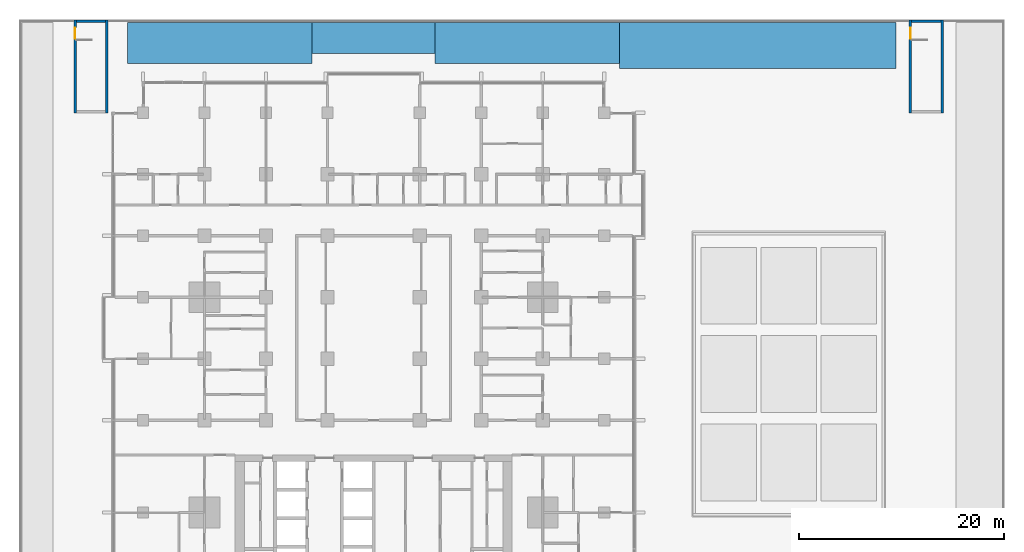
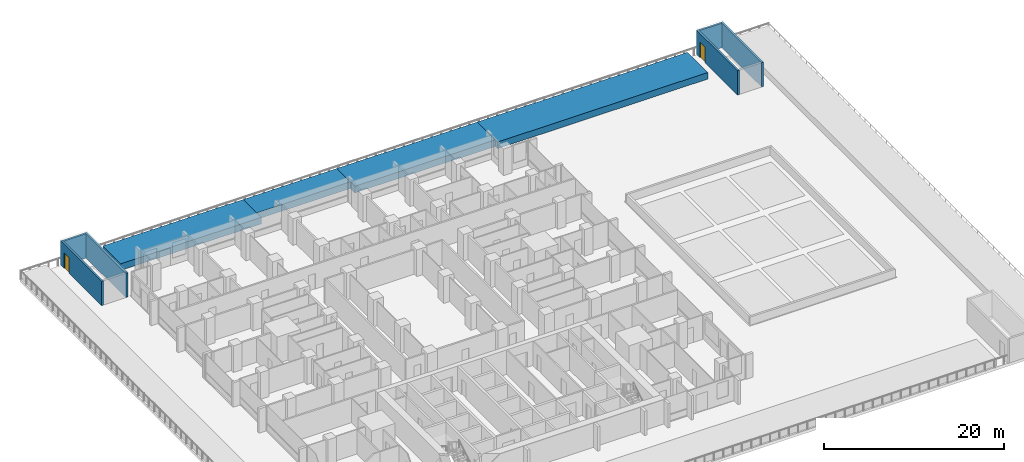
# One storey, part 17 of 25: 10 walls, 2 doors, 2 openings.
"""IFC4 building model written with IfcOpenShell, lengths in metres."""

from ifc_helpers import new_model, si_unit, direction, frame, frame_2d, origin, place, context, subcontext, project, spatial, rectangle, extrude, material, layer, layer_set, type_object, element, fill, save


model = new_model("IFC4")

# Units and contexts
model_context = context("Model", 3, precision=1e-05, world=origin(), true_north=direction((0.0, 1.0)))
body_context = subcontext(model_context, "Body", "Model", "MODEL_VIEW")
ifc_project = project(units=[si_unit("LENGTHUNIT", "METRE"), si_unit("AREAUNIT", "SQUARE_METRE"), si_unit("VOLUMEUNIT", "CUBIC_METRE"), si_unit("PLANEANGLEUNIT", "RADIAN"), si_unit("MASSUNIT", "GRAM", prefix="KILO")], contexts=[model_context])

# Site, building, storey
site_placement = place(None, origin())
site = spatial("IfcSite", under=ifc_project, at=site_placement, CompositionType="ELEMENT")
building_placement = place(site_placement, origin())
building = spatial("IfcBuilding", under=site, at=building_placement, Name="Finial Court Residences", CompositionType="ELEMENT")
storey_placement = place(building_placement, frame((0.0, 0.0, 32.5)))
storey = spatial("IfcBuildingStorey", under=building, at=storey_placement, Name="L06", CompositionType="ELEMENT", Elevation=32.5)

# Walls
ifc_material_1 = material(Name="Concrete C40/50", Category="concrete")
ifc_layer_1 = layer(ifc_material_1, 0.199951171875)
ifc_material_2 = material(Name="Planting soil", Category="soil")
ifc_layer_2 = layer(ifc_material_2, 2.60009765625)
ifc_layer_3 = layer(ifc_material_1, 0.199951171875)
ifc_layer_set_1 = layer_set([ifc_layer_1, ifc_layer_2, ifc_layer_3], Name="Planter wall, terrace 3000")
wall_type_1 = type_object("IfcWallType", Name="Planter wall, terrace 3000", PredefinedType="USERDEFINED", material=ifc_layer_set_1)
wall_1_placement = place(storey_placement, frame((-6.0, 32.800048828125, 0.0), z_axis=(0.0, 0.0, 1.0), x_axis=(1.0, 0.0, 0.0)))
element("IfcWall", 1, at=wall_1_placement, inside=storey, type_object=wall_type_1, Name="E-L06-TER1-PL7", ObjectType="PLANTER", PredefinedType="USERDEFINED", context=body_context, shape_type="SweptSolid", body=[
    extrude(rectangle(XDim=12.0, YDim=3.0, at=frame_2d((6.0, 0.0))), origin(), (0.0, 0.0, 1.0), 0.89990234375),
])
ifc_layer_4 = layer(ifc_material_1, 0.199951171875)
ifc_layer_5 = layer(ifc_material_2, 3.60009765625)
ifc_layer_6 = layer(ifc_material_1, 0.199951171875)
ifc_layer_set_2 = layer_set([ifc_layer_4, ifc_layer_5, ifc_layer_6], Name="Planter wall, terrace 4000")
wall_type_2 = type_object("IfcWallType", Name="Planter wall, terrace 4000", PredefinedType="USERDEFINED", material=ifc_layer_set_2)
for number, where, z_axis, x_axis, name in (
    (2, (-24.0, 32.300048828125, 0.0), (0.0, 0.0, 1.0), (1.0, 0.0, 0.0), "E-L06-TER1-PL5"),
    (3, (6.0, 32.300048828125, 0.0), (0.0, 0.0, 1.0), (1.0, 0.0, 0.0), "E-L06-TER1-PL6"),
):
    element("IfcWall", number, at=place(storey_placement, frame(where, z_axis=z_axis, x_axis=x_axis)), inside=storey, type_object=wall_type_2, Name=name, ObjectType="PLANTER", PredefinedType="USERDEFINED", context=body_context, shape_type="SweptSolid", body=[
        extrude(rectangle(XDim=18.0, YDim=4.0, at=frame_2d((9.0, 0.0))), origin(), (0.0, 0.0, 1.0), 0.89990234375),
    ])
ifc_layer_7 = layer(ifc_material_1, 0.199951171875)
ifc_layer_8 = layer(ifc_material_2, 4.10009765625)
ifc_layer_9 = layer(ifc_material_1, 0.199951171875)
ifc_layer_set_3 = layer_set([ifc_layer_7, ifc_layer_8, ifc_layer_9], Name="Planter wall, terrace 4500")
wall_type_3 = type_object("IfcWallType", Name="Planter wall, terrace 4500", PredefinedType="USERDEFINED", material=ifc_layer_set_3)
wall_2_placement = place(storey_placement, frame((24.0, 32.050048828125, 0.0), z_axis=(0.0, 0.0, 1.0), x_axis=(1.0, 0.0, 0.0)))
element("IfcWall", 4, at=wall_2_placement, inside=storey, type_object=wall_type_3, Name="E-L06-TER1-PL4", ObjectType="PLANTER", PredefinedType="USERDEFINED", context=body_context, shape_type="SweptSolid", body=[
    extrude(rectangle(XDim=26.949951171875, YDim=4.5, at=frame_2d((13.47509765625, 0.0))), origin(), (0.0, 0.0, 1.0), 0.89990234375),
])

# Wall, opening, door
ifc_material_3 = material(Name="Concrete C50/60", Category="concrete")
ifc_layer_10 = layer(ifc_material_3, 0.25)
ifc_layer_set_4 = layer_set([ifc_layer_10], Name="Stair head-house wall 250 Concrete C50/60")
wall_type_4 = type_object("IfcWallType", Name="Stair head-house wall 250 Concrete C50/60", PredefinedType="SHEAR", material=ifc_layer_set_4)
wall_3_placement = place(storey_placement, frame((52.375, 25.469970703125, 0.0), z_axis=(0.0, 0.0, 1.0), x_axis=(0.0, 1.0, 0.0)))
wall_3 = element("IfcWall", 5, at=wall_3_placement, inside=storey, type_object=wall_type_4, Name="Exit Stair 5 head-house wall W", PredefinedType="SHEAR", context=body_context, shape_type="SweptSolid", body=[
    extrude(rectangle(XDim=9.080078125, YDim=0.25, at=frame_2d((4.5400390625, 0.0))), origin(), (0.0, 0.0, 1.0), 3.300048828125),
])
opening_1_placement = place(wall_3_placement, frame((7.22998046875, 0.0, 0.0)))
opening_1 = element("IfcOpeningElement", 6, at=opening_1_placement, cuts=wall_3, Name="Opening ST-5-HH", PredefinedType="OPENING", context=body_context, shape_type="SweptSolid", body=[
    extrude(rectangle(XDim=1.10009765625, YDim=2.10009765625, at=frame_2d((0.550048828125, 1.050048828125))), frame((0.0, 0.135009765625, 0.0), z_axis=(0.0, -1.0, 0.0), x_axis=(1.0, 0.0, 0.0)), (0.0, 0.0, 1.0), 0.27001953125),
])
ifc_material_4 = material(Name="Steel fire door", Category="steel")
door_type = type_object("IfcDoorType", Name="Stair door 1100 x 2100 EI 90", OperationType="NOTDEFINED", PredefinedType="DOOR", material=ifc_material_4)
door_1_placement = place(opening_1_placement, origin())
door_1 = element("IfcDoor", 7, at=door_1_placement, inside=storey, type_object=door_type, Name="Exit Stair 5 terrace door", OperationType="SINGLE_SWING_LEFT", OverallHeight=2.10009765625, OverallWidth=1.10009765625, PredefinedType="DOOR", context=body_context, shape_type="SweptSolid", body=[
    extrude(rectangle(XDim=1.10009765625, YDim=2.10009765625, at=frame_2d((0.550048828125, 1.050048828125))), frame((0.0, 0.02490234375, 0.0), z_axis=(0.0, -1.0, 0.0), x_axis=(1.0, 0.0, 0.0)), (0.0, 0.0, 1.0), 0.050048828125),
])
fill(opening_1, door_1)

# Walls
wall_4_placement = place(storey_placement, frame((55.47509765625, 25.469970703125, 0.0), z_axis=(0.0, 0.0, 1.0), x_axis=(0.0, 1.0, 0.0)))
element("IfcWall", 8, at=wall_4_placement, inside=storey, type_object=wall_type_4, Name="Exit Stair 5 head-house wall E", PredefinedType="SHEAR", context=body_context, shape_type="SweptSolid", body=[
    extrude(rectangle(XDim=9.080078125, YDim=0.25, at=frame_2d((4.5400390625, 0.0))), origin(), (0.0, 0.0, 1.0), 3.300048828125),
])
wall_5_placement = place(storey_placement, frame((52.5, 34.425048828125, 0.0), z_axis=(0.0, 0.0, 1.0), x_axis=(1.0, 0.0, 0.0)))
element("IfcWall", 9, at=wall_5_placement, inside=storey, type_object=wall_type_4, Name="Exit Stair 5 head-house wall N", PredefinedType="SHEAR", context=body_context, shape_type="SweptSolid", body=[
    extrude(rectangle(XDim=2.85009765625, YDim=0.25, at=frame_2d((1.425048828125, 0.0))), origin(), (0.0, 0.0, 1.0), 3.300048828125),
])

# Wall, opening, door
wall_6_placement = place(storey_placement, frame((-29.125, 25.469970703125, 0.0), z_axis=(0.0, 0.0, 1.0), x_axis=(0.0, 1.0, 0.0)))
wall_6 = element("IfcWall", 10, at=wall_6_placement, inside=storey, type_object=wall_type_4, Name="Exit Stair 6 head-house wall W", PredefinedType="SHEAR", context=body_context, shape_type="SweptSolid", body=[
    extrude(rectangle(XDim=9.080078125, YDim=0.25, at=frame_2d((4.5400390625, 0.0))), origin(), (0.0, 0.0, 1.0), 3.300048828125),
])
opening_2_placement = place(wall_6_placement, frame((7.22998046875, 0.0, 0.0)))
opening_2 = element("IfcOpeningElement", 11, at=opening_2_placement, cuts=wall_6, Name="Opening ST-6-HH", PredefinedType="OPENING", context=body_context, shape_type="SweptSolid", body=[
    extrude(rectangle(XDim=1.10009765625, YDim=2.10009765625, at=frame_2d((0.550048828125, 1.050048828125))), frame((0.0, 0.135009765625, 0.0), z_axis=(0.0, -1.0, 0.0), x_axis=(1.0, 0.0, 0.0)), (0.0, 0.0, 1.0), 0.27001953125),
])
door_2_placement = place(opening_2_placement, origin())
door_2 = element("IfcDoor", 12, at=door_2_placement, inside=storey, type_object=door_type, Name="Exit Stair 6 terrace door", OperationType="SINGLE_SWING_LEFT", OverallHeight=2.10009765625, OverallWidth=1.10009765625, PredefinedType="DOOR", context=body_context, shape_type="SweptSolid", body=[
    extrude(rectangle(XDim=1.10009765625, YDim=2.10009765625, at=frame_2d((0.550048828125, 1.050048828125))), frame((0.0, 0.02490234375, 0.0), z_axis=(0.0, -1.0, 0.0), x_axis=(1.0, 0.0, 0.0)), (0.0, 0.0, 1.0), 0.050048828125),
])
fill(opening_2, door_2)

# Walls
wall_7_placement = place(storey_placement, frame((-26.02490234375, 25.469970703125, 0.0), z_axis=(0.0, 0.0, 1.0), x_axis=(0.0, 1.0, 0.0)))
element("IfcWall", 13, at=wall_7_placement, inside=storey, type_object=wall_type_4, Name="Exit Stair 6 head-house wall E", PredefinedType="SHEAR", context=body_context, shape_type="SweptSolid", body=[
    extrude(rectangle(XDim=9.080078125, YDim=0.25, at=frame_2d((4.5400390625, 0.0))), origin(), (0.0, 0.0, 1.0), 3.300048828125),
])
wall_8_placement = place(storey_placement, frame((-29.0, 34.425048828125, 0.0), z_axis=(0.0, 0.0, 1.0), x_axis=(1.0, 0.0, 0.0)))
element("IfcWall", 14, at=wall_8_placement, inside=storey, type_object=wall_type_4, Name="Exit Stair 6 head-house wall N", PredefinedType="SHEAR", context=body_context, shape_type="SweptSolid", body=[
    extrude(rectangle(XDim=2.85009765625, YDim=0.25, at=frame_2d((1.425048828125, 0.0))), origin(), (0.0, 0.0, 1.0), 3.300048828125),
])

save(model, "model.ifc")
